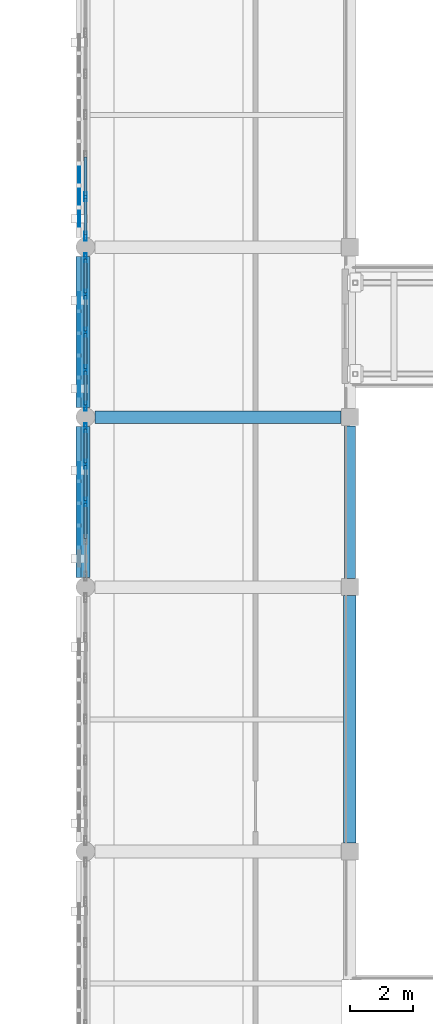
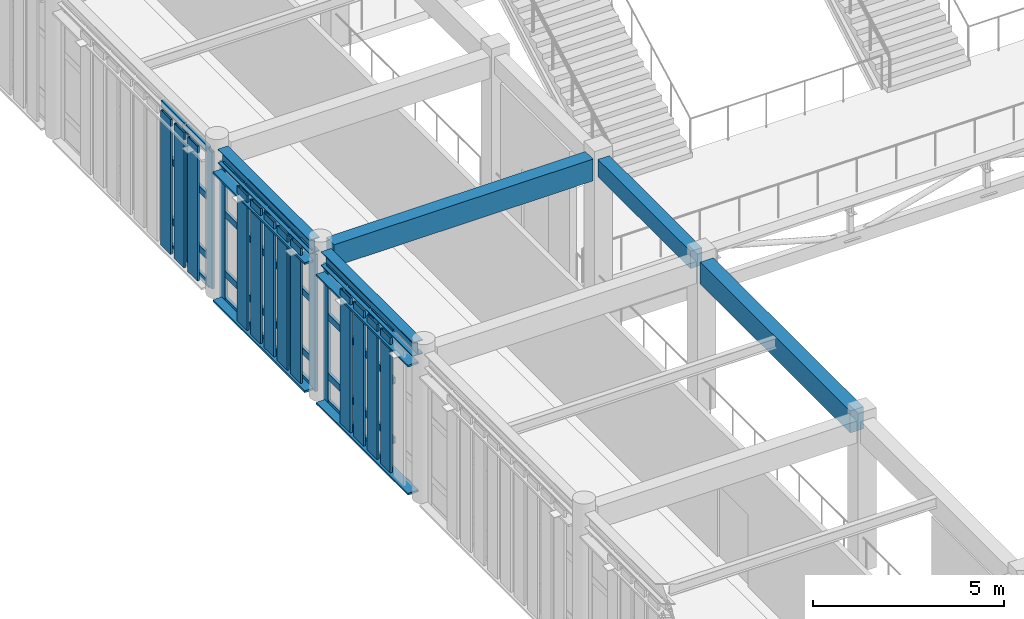
# One storey, part 31 of 93: 61 members, 5 beams, 3 elements without a shape of their own.
"""IFC4 building model written with IfcOpenShell, lengths in metres."""

from ifc_helpers import new_model, si_unit, direction, frame, origin, origin_2d, place, context, subcontext, project, spatial, rectangle, hollow_rectangle, i_section, extrude, material, layer, layer_set, material_profile, profile_set, type_object, element, aggregate, save


model = new_model("IFC4")

# Units and contexts
model_context = context("Model", 3, precision=1e-05, world=origin(), true_north=direction((0.0, 1.0)))
body_context = subcontext(model_context, "Body", "Model", "MODEL_VIEW")
ifc_project = project(units=[si_unit("LENGTHUNIT", "METRE"), si_unit("AREAUNIT", "SQUARE_METRE"), si_unit("VOLUMEUNIT", "CUBIC_METRE"), si_unit("PLANEANGLEUNIT", "RADIAN"), si_unit("MASSUNIT", "GRAM", prefix="KILO")], contexts=[model_context])

# Site, building, storey
site_placement = place(None, origin())
site = spatial("IfcSite", under=ifc_project, at=site_placement, CompositionType="ELEMENT")
building_placement = place(site_placement, origin())
building = spatial("IfcBuilding", under=site, at=building_placement, Name="Krzemoval Escarpment Law Courts", CompositionType="ELEMENT")
storey_placement = place(building_placement, frame((0.0, 0.0, 10.199951171875)))
storey = spatial("IfcBuildingStorey", under=building, at=storey_placement, Name="L02", CompositionType="ELEMENT", Elevation=10.199951171875)

# Beams
ifc_material_1 = material(Name="Concrete C40/50", Category="concrete")
ifc_material_profile_1 = material_profile(ifc_material_1, rectangle(XDim=0.35009765625, YDim=0.550048828125, at=origin_2d()), Name="RCB 350x550")
ifc_profile_set_1 = profile_set([ifc_material_profile_1], Name="Concrete C40/50")
beam_type_1 = type_object("IfcBeamType", Name="BM-RC-350x550", PredefinedType="BEAM", material=ifc_profile_set_1)
beam_1_placement = place(storey_placement, frame((16.800048828125, 74.675048828125, 4.545166015625), z_axis=(0.0, 1.0, 0.0), x_axis=(-1.0, 0.0, 0.0)))
element("IfcBeam", 1, at=beam_1_placement, inside=storey, type_object=beam_type_1, Name="Beam FG-L02-1876", PredefinedType="BEAM", context=body_context, shape_type="SweptSolid", body=[
    extrude(rectangle(XDim=0.35009765625, YDim=0.550048828125, at=origin_2d()), origin(), (0.0, 0.0, 1.0), 4.849853515625),
])
ifc_material_2 = material(Name="Concrete C40/50", Category="concrete")
ifc_material_profile_2 = material_profile(ifc_material_2, rectangle(XDim=0.39990234375, YDim=0.699951171875, at=origin_2d()), Name="RCB 400x700")
ifc_profile_set_2 = profile_set([ifc_material_profile_2], Name="Concrete C40/50")
beam_type_2 = type_object("IfcBeamType", Name="BM-RC-400x700", PredefinedType="BEAM", material=ifc_profile_set_2)
beam_2_placement = place(storey_placement, frame((8.699951171875, 79.800048828125, 4.469970703125), z_axis=(1.0, 0.0, 0.0), x_axis=(0.0, 1.0, 0.0)))
element("IfcBeam", 2, at=beam_2_placement, inside=storey, type_object=beam_type_2, Name="Beam FG-L02-1800", PredefinedType="BEAM", context=body_context, shape_type="SweptSolid", body=[
    extrude(rectangle(XDim=0.39990234375, YDim=0.699951171875, at=origin_2d()), origin(), (0.0, 0.0, 1.0), 7.824951171875),
])
beam_3_placement = place(storey_placement, frame((16.800048828125, 66.27490234375, 4.469970703125), z_axis=(0.0, 1.0, 0.0), x_axis=(-1.0, 0.0, 0.0)))
element("IfcBeam", 3, at=beam_3_placement, inside=storey, type_object=beam_type_2, Name="Beam FG-L02-1875", PredefinedType="BEAM", context=body_context, shape_type="SweptSolid", body=[
    extrude(rectangle(XDim=0.39990234375, YDim=0.699951171875, at=origin_2d()), origin(), (0.0, 0.0, 1.0), 7.85009765625),
])

# Curtain wall, members
ifc_material_3 = material(Name="Aluminium 6063-T6", Category="aluminium")
ifc_layer = layer(ifc_material_3, 0.280029296875)
ifc_layer_set = layer_set([ifc_layer], Name="Aluminium 6063-T6")
curtain_wall_type = type_object("IfcCurtainWallType", Name="CW-HALL-5100", PredefinedType="USERDEFINED", material=ifc_layer_set)
curtain_wall_1_placement = place(storey_placement, origin())
curtain_wall_1 = element("IfcCurtainWall", 4, at=curtain_wall_1_placement, inside=storey, type_object=curtain_wall_type, Name="Unitised Curtain Wall FCW-L02-069", ObjectType="UNITISED_CURTAIN_WALL", PredefinedType="USERDEFINED")
ifc_material_4 = material(Name="Aluminium 6063-T6", Category="aluminium")
ifc_material_profile_3 = material_profile(ifc_material_4, hollow_rectangle(XDim=0.0849609375, YDim=0.280029296875, WallThickness=0.005615234375, at=origin_2d()), Name="ALU M85x280")
ifc_profile_set_3 = profile_set([ifc_material_profile_3], Name="Aluminium 6063-T6")
member_type_1 = type_object("IfcMemberType", Name="CWM-85x280", PredefinedType="MULLION", material=ifc_profile_set_3)
member_1_placement = place(storey_placement, frame((8.39990234375, 77.10009765625, 0.0), z_axis=(0.0, 0.0, 1.0), x_axis=(-1.0, 0.0, 0.0)))
member_1 = element("IfcMember", 5, at=member_1_placement, type_object=member_type_1, Name="FCW-L02-069 mullion 3", PredefinedType="MULLION", context=body_context, shape_type="SweptSolid", body=[
    extrude(hollow_rectangle(XDim=0.0849609375, YDim=0.280029296875, WallThickness=0.005615234375, at=origin_2d()), origin(), (0.0, 0.0, 1.0), 4.3701171875),
])
member_2_placement = place(storey_placement, frame((8.39990234375, 78.300048828125, 0.0), z_axis=(0.0, 0.0, 1.0), x_axis=(-1.0, 0.0, 0.0)))
member_2 = element("IfcMember", 6, at=member_2_placement, type_object=member_type_1, Name="FCW-L02-069 mullion 4", PredefinedType="MULLION", context=body_context, shape_type="SweptSolid", body=[
    extrude(hollow_rectangle(XDim=0.0849609375, YDim=0.280029296875, WallThickness=0.005615234375, at=origin_2d()), origin(), (0.0, 0.0, 1.0), 4.3701171875),
])
member_3_placement = place(storey_placement, frame((8.39990234375, 79.45751953125, 0.0), z_axis=(0.0, 0.0, 1.0), x_axis=(-1.0, 0.0, 0.0)))
member_3 = element("IfcMember", 7, at=member_3_placement, type_object=member_type_1, Name="FCW-L02-069 mullion 5", PredefinedType="MULLION", context=body_context, shape_type="SweptSolid", body=[
    extrude(hollow_rectangle(XDim=0.0849609375, YDim=0.280029296875, WallThickness=0.005615234375, at=origin_2d()), origin(), (0.0, 0.0, 1.0), 4.3701171875),
])

curtain_wall_2_placement = place(storey_placement, origin())
curtain_wall_2 = element("IfcCurtainWall", 8, at=curtain_wall_2_placement, inside=storey, type_object=curtain_wall_type, Name="Unitised Curtain Wall FCW-L02-070", ObjectType="UNITISED_CURTAIN_WALL", PredefinedType="USERDEFINED")
member_4_placement = place(storey_placement, frame((8.39990234375, 80.142578125, 0.0), z_axis=(0.0, 0.0, 1.0), x_axis=(-1.0, 0.0, 0.0)))
member_4 = element("IfcMember", 9, at=member_4_placement, type_object=member_type_1, Name="FCW-L02-070 mullion 1", PredefinedType="MULLION", context=body_context, shape_type="SweptSolid", body=[
    extrude(hollow_rectangle(XDim=0.0849609375, YDim=0.280029296875, WallThickness=0.005615234375, at=origin_2d()), origin(), (0.0, 0.0, 1.0), 4.3701171875),
])
member_5_placement = place(storey_placement, frame((8.39990234375, 81.300048828125, 0.0), z_axis=(0.0, 0.0, 1.0), x_axis=(-1.0, 0.0, 0.0)))
member_5 = element("IfcMember", 10, at=member_5_placement, type_object=member_type_1, Name="FCW-L02-070 mullion 2", PredefinedType="MULLION", context=body_context, shape_type="SweptSolid", body=[
    extrude(hollow_rectangle(XDim=0.0849609375, YDim=0.280029296875, WallThickness=0.005615234375, at=origin_2d()), origin(), (0.0, 0.0, 1.0), 4.3701171875),
])
member_6_placement = place(storey_placement, frame((8.39990234375, 82.5, 0.0), z_axis=(0.0, 0.0, 1.0), x_axis=(-1.0, 0.0, 0.0)))
member_6 = element("IfcMember", 11, at=member_6_placement, type_object=member_type_1, Name="FCW-L02-070 mullion 3", PredefinedType="MULLION", context=body_context, shape_type="SweptSolid", body=[
    extrude(hollow_rectangle(XDim=0.0849609375, YDim=0.280029296875, WallThickness=0.005615234375, at=origin_2d()), origin(), (0.0, 0.0, 1.0), 4.3701171875),
])
member_7_placement = place(storey_placement, frame((8.39990234375, 83.699951171875, 0.0), z_axis=(0.0, 0.0, 1.0), x_axis=(-1.0, 0.0, 0.0)))
member_7 = element("IfcMember", 12, at=member_7_placement, type_object=member_type_1, Name="FCW-L02-070 mullion 4", PredefinedType="MULLION", context=body_context, shape_type="SweptSolid", body=[
    extrude(hollow_rectangle(XDim=0.0849609375, YDim=0.280029296875, WallThickness=0.005615234375, at=origin_2d()), origin(), (0.0, 0.0, 1.0), 4.3701171875),
])
member_8_placement = place(storey_placement, frame((8.39990234375, 84.857421875, 0.0), z_axis=(0.0, 0.0, 1.0), x_axis=(-1.0, 0.0, 0.0)))
member_8 = element("IfcMember", 13, at=member_8_placement, type_object=member_type_1, Name="FCW-L02-070 mullion 5", PredefinedType="MULLION", context=body_context, shape_type="SweptSolid", body=[
    extrude(hollow_rectangle(XDim=0.0849609375, YDim=0.280029296875, WallThickness=0.005615234375, at=origin_2d()), origin(), (0.0, 0.0, 1.0), 4.3701171875),
])

curtain_wall_3_placement = place(storey_placement, origin())
curtain_wall_3 = element("IfcCurtainWall", 14, at=curtain_wall_3_placement, inside=storey, type_object=curtain_wall_type, Name="Unitised Curtain Wall FCW-L02-071", ObjectType="UNITISED_CURTAIN_WALL", PredefinedType="USERDEFINED")
member_9_placement = place(storey_placement, frame((8.39990234375, 85.54248046875, 0.0), z_axis=(0.0, 0.0, 1.0), x_axis=(-1.0, 0.0, 0.0)))
member_9 = element("IfcMember", 15, at=member_9_placement, type_object=member_type_1, Name="FCW-L02-071 mullion 1", PredefinedType="MULLION", context=body_context, shape_type="SweptSolid", body=[
    extrude(hollow_rectangle(XDim=0.0849609375, YDim=0.280029296875, WallThickness=0.005615234375, at=origin_2d()), origin(), (0.0, 0.0, 1.0), 4.3701171875),
])
member_10_placement = place(storey_placement, frame((8.39990234375, 86.800048828125, 0.0), z_axis=(0.0, 0.0, 1.0), x_axis=(-1.0, 0.0, 0.0)))
member_10 = element("IfcMember", 16, at=member_10_placement, type_object=member_type_1, Name="FCW-L02-071 mullion 2", PredefinedType="MULLION", context=body_context, shape_type="SweptSolid", body=[
    extrude(hollow_rectangle(XDim=0.0849609375, YDim=0.280029296875, WallThickness=0.005615234375, at=origin_2d()), origin(), (0.0, 0.0, 1.0), 4.3701171875),
])

# Member
ifc_material_5 = material(Name="Aluminium 6063-T6", Category="aluminium")
ifc_material_profile_4 = material_profile(ifc_material_5, hollow_rectangle(XDim=0.0849609375, YDim=0.2099609375, WallThickness=0.005615234375, at=origin_2d()), Name="ALU T85x210")
ifc_profile_set_4 = profile_set([ifc_material_profile_4], Name="Aluminium 6063-T6")
member_type_2 = type_object("IfcMemberType", Name="CWT-85x210", PredefinedType="USERDEFINED", material=ifc_profile_set_4)
member_11_placement = place(storey_placement, frame((8.39990234375, 75.9423828125, 0.900146484375), z_axis=(0.0, 1.0, 0.0), x_axis=(-1.0, 0.0, 0.0)))
member_11 = element("IfcMember", 17, at=member_11_placement, type_object=member_type_2, Name="FCW-L02-069 transom 2.2", ObjectType="TRANSOM", PredefinedType="USERDEFINED", context=body_context, shape_type="SweptSolid", body=[
    extrude(hollow_rectangle(XDim=0.0849609375, YDim=0.2099609375, WallThickness=0.005615234375, at=origin_2d()), origin(), (0.0, 0.0, 1.0), 1.115234375),
])

member_12_placement = place(storey_placement, frame((8.39990234375, 75.9423828125, 2.800048828125), z_axis=(0.0, 1.0, 0.0), x_axis=(-1.0, 0.0, 0.0)))
member_12 = element("IfcMember", 18, at=member_12_placement, type_object=member_type_2, Name="FCW-L02-069 transom 2.3", ObjectType="TRANSOM", PredefinedType="USERDEFINED", context=body_context, shape_type="SweptSolid", body=[
    extrude(hollow_rectangle(XDim=0.0849609375, YDim=0.2099609375, WallThickness=0.005615234375, at=origin_2d()), origin(), (0.0, 0.0, 1.0), 1.115234375),
])

member_13_placement = place(storey_placement, frame((8.39990234375, 75.9423828125, 4.32763671875), z_axis=(0.0, 1.0, 0.0), x_axis=(-1.0, 0.0, 0.0)))
member_13 = element("IfcMember", 19, at=member_13_placement, type_object=member_type_2, Name="FCW-L02-069 transom 2.4", ObjectType="TRANSOM", PredefinedType="USERDEFINED", context=body_context, shape_type="SweptSolid", body=[
    extrude(hollow_rectangle(XDim=0.0849609375, YDim=0.2099609375, WallThickness=0.005615234375, at=origin_2d()), origin(), (0.0, 0.0, 1.0), 1.115234375),
])

member_14_placement = place(storey_placement, frame((8.39990234375, 77.142578125, 0.04248046875), z_axis=(0.0, 1.0, 0.0), x_axis=(-1.0, 0.0, 0.0)))
member_14 = element("IfcMember", 20, at=member_14_placement, type_object=member_type_2, Name="FCW-L02-069 transom 3.1", ObjectType="TRANSOM", PredefinedType="USERDEFINED", context=body_context, shape_type="SweptSolid", body=[
    extrude(hollow_rectangle(XDim=0.0849609375, YDim=0.2099609375, WallThickness=0.005615234375, at=origin_2d()), origin(), (0.0, 0.0, 1.0), 1.114990234375),
])

member_15_placement = place(storey_placement, frame((8.39990234375, 77.142578125, 0.900146484375), z_axis=(0.0, 1.0, 0.0), x_axis=(-1.0, 0.0, 0.0)))
member_15 = element("IfcMember", 21, at=member_15_placement, type_object=member_type_2, Name="FCW-L02-069 transom 3.2", ObjectType="TRANSOM", PredefinedType="USERDEFINED", context=body_context, shape_type="SweptSolid", body=[
    extrude(hollow_rectangle(XDim=0.0849609375, YDim=0.2099609375, WallThickness=0.005615234375, at=origin_2d()), origin(), (0.0, 0.0, 1.0), 1.114990234375),
])

member_16_placement = place(storey_placement, frame((8.39990234375, 77.142578125, 2.800048828125), z_axis=(0.0, 1.0, 0.0), x_axis=(-1.0, 0.0, 0.0)))
member_16 = element("IfcMember", 22, at=member_16_placement, type_object=member_type_2, Name="FCW-L02-069 transom 3.3", ObjectType="TRANSOM", PredefinedType="USERDEFINED", context=body_context, shape_type="SweptSolid", body=[
    extrude(hollow_rectangle(XDim=0.0849609375, YDim=0.2099609375, WallThickness=0.005615234375, at=origin_2d()), origin(), (0.0, 0.0, 1.0), 1.114990234375),
])

member_17_placement = place(storey_placement, frame((8.39990234375, 77.142578125, 4.32763671875), z_axis=(0.0, 1.0, 0.0), x_axis=(-1.0, 0.0, 0.0)))
member_17 = element("IfcMember", 23, at=member_17_placement, type_object=member_type_2, Name="FCW-L02-069 transom 3.4", ObjectType="TRANSOM", PredefinedType="USERDEFINED", context=body_context, shape_type="SweptSolid", body=[
    extrude(hollow_rectangle(XDim=0.0849609375, YDim=0.2099609375, WallThickness=0.005615234375, at=origin_2d()), origin(), (0.0, 0.0, 1.0), 1.114990234375),
])

member_18_placement = place(storey_placement, frame((8.39990234375, 78.342529296875, 0.04248046875), z_axis=(0.0, 1.0, 0.0), x_axis=(-1.0, 0.0, 0.0)))
member_18 = element("IfcMember", 24, at=member_18_placement, type_object=member_type_2, Name="FCW-L02-069 transom 4.1", ObjectType="TRANSOM", PredefinedType="USERDEFINED", context=body_context, shape_type="SweptSolid", body=[
    extrude(hollow_rectangle(XDim=0.0849609375, YDim=0.2099609375, WallThickness=0.005615234375, at=origin_2d()), origin(), (0.0, 0.0, 1.0), 1.072509765625),
])

member_19_placement = place(storey_placement, frame((8.39990234375, 78.342529296875, 0.900146484375), z_axis=(0.0, 1.0, 0.0), x_axis=(-1.0, 0.0, 0.0)))
member_19 = element("IfcMember", 25, at=member_19_placement, type_object=member_type_2, Name="FCW-L02-069 transom 4.2", ObjectType="TRANSOM", PredefinedType="USERDEFINED", context=body_context, shape_type="SweptSolid", body=[
    extrude(hollow_rectangle(XDim=0.0849609375, YDim=0.2099609375, WallThickness=0.005615234375, at=origin_2d()), origin(), (0.0, 0.0, 1.0), 1.072509765625),
])

member_20_placement = place(storey_placement, frame((8.39990234375, 78.342529296875, 2.800048828125), z_axis=(0.0, 1.0, 0.0), x_axis=(-1.0, 0.0, 0.0)))
member_20 = element("IfcMember", 26, at=member_20_placement, type_object=member_type_2, Name="FCW-L02-069 transom 4.3", ObjectType="TRANSOM", PredefinedType="USERDEFINED", context=body_context, shape_type="SweptSolid", body=[
    extrude(hollow_rectangle(XDim=0.0849609375, YDim=0.2099609375, WallThickness=0.005615234375, at=origin_2d()), origin(), (0.0, 0.0, 1.0), 1.072509765625),
])

member_21_placement = place(storey_placement, frame((8.39990234375, 78.342529296875, 4.32763671875), z_axis=(0.0, 1.0, 0.0), x_axis=(-1.0, 0.0, 0.0)))
member_21 = element("IfcMember", 27, at=member_21_placement, type_object=member_type_2, Name="FCW-L02-069 transom 4.4", ObjectType="TRANSOM", PredefinedType="USERDEFINED", context=body_context, shape_type="SweptSolid", body=[
    extrude(hollow_rectangle(XDim=0.0849609375, YDim=0.2099609375, WallThickness=0.005615234375, at=origin_2d()), origin(), (0.0, 0.0, 1.0), 1.072509765625),
])

aggregate(curtain_wall_1, [member_1, member_2, member_3, member_11, member_12, member_13, member_14, member_15, member_16, member_17, member_18, member_19, member_20, member_21])

member_22_placement = place(storey_placement, frame((8.39990234375, 80.18505859375, 0.04248046875), z_axis=(0.0, 1.0, 0.0), x_axis=(-1.0, 0.0, 0.0)))
member_22 = element("IfcMember", 28, at=member_22_placement, type_object=member_type_2, Name="FCW-L02-070 transom 1.1", ObjectType="TRANSOM", PredefinedType="USERDEFINED", context=body_context, shape_type="SweptSolid", body=[
    extrude(hollow_rectangle(XDim=0.0849609375, YDim=0.2099609375, WallThickness=0.005615234375, at=origin_2d()), origin(), (0.0, 0.0, 1.0), 1.072509765625),
])

member_23_placement = place(storey_placement, frame((8.39990234375, 80.18505859375, 0.900146484375), z_axis=(0.0, 1.0, 0.0), x_axis=(-1.0, 0.0, 0.0)))
member_23 = element("IfcMember", 29, at=member_23_placement, type_object=member_type_2, Name="FCW-L02-070 transom 1.2", ObjectType="TRANSOM", PredefinedType="USERDEFINED", context=body_context, shape_type="SweptSolid", body=[
    extrude(hollow_rectangle(XDim=0.0849609375, YDim=0.2099609375, WallThickness=0.005615234375, at=origin_2d()), origin(), (0.0, 0.0, 1.0), 1.072509765625),
])

member_24_placement = place(storey_placement, frame((8.39990234375, 80.18505859375, 2.800048828125), z_axis=(0.0, 1.0, 0.0), x_axis=(-1.0, 0.0, 0.0)))
member_24 = element("IfcMember", 30, at=member_24_placement, type_object=member_type_2, Name="FCW-L02-070 transom 1.3", ObjectType="TRANSOM", PredefinedType="USERDEFINED", context=body_context, shape_type="SweptSolid", body=[
    extrude(hollow_rectangle(XDim=0.0849609375, YDim=0.2099609375, WallThickness=0.005615234375, at=origin_2d()), origin(), (0.0, 0.0, 1.0), 1.072509765625),
])

member_25_placement = place(storey_placement, frame((8.39990234375, 80.18505859375, 4.32763671875), z_axis=(0.0, 1.0, 0.0), x_axis=(-1.0, 0.0, 0.0)))
member_25 = element("IfcMember", 31, at=member_25_placement, type_object=member_type_2, Name="FCW-L02-070 transom 1.4", ObjectType="TRANSOM", PredefinedType="USERDEFINED", context=body_context, shape_type="SweptSolid", body=[
    extrude(hollow_rectangle(XDim=0.0849609375, YDim=0.2099609375, WallThickness=0.005615234375, at=origin_2d()), origin(), (0.0, 0.0, 1.0), 1.072509765625),
])

member_26_placement = place(storey_placement, frame((8.39990234375, 81.342529296875, 0.04248046875), z_axis=(0.0, 1.0, 0.0), x_axis=(-1.0, 0.0, 0.0)))
member_26 = element("IfcMember", 32, at=member_26_placement, type_object=member_type_2, Name="FCW-L02-070 transom 2.1", ObjectType="TRANSOM", PredefinedType="USERDEFINED", context=body_context, shape_type="SweptSolid", body=[
    extrude(hollow_rectangle(XDim=0.0849609375, YDim=0.2099609375, WallThickness=0.005615234375, at=origin_2d()), origin(), (0.0, 0.0, 1.0), 1.114990234375),
])

member_27_placement = place(storey_placement, frame((8.39990234375, 81.342529296875, 0.900146484375), z_axis=(0.0, 1.0, 0.0), x_axis=(-1.0, 0.0, 0.0)))
member_27 = element("IfcMember", 33, at=member_27_placement, type_object=member_type_2, Name="FCW-L02-070 transom 2.2", ObjectType="TRANSOM", PredefinedType="USERDEFINED", context=body_context, shape_type="SweptSolid", body=[
    extrude(hollow_rectangle(XDim=0.0849609375, YDim=0.2099609375, WallThickness=0.005615234375, at=origin_2d()), origin(), (0.0, 0.0, 1.0), 1.114990234375),
])

member_28_placement = place(storey_placement, frame((8.39990234375, 81.342529296875, 2.800048828125), z_axis=(0.0, 1.0, 0.0), x_axis=(-1.0, 0.0, 0.0)))
member_28 = element("IfcMember", 34, at=member_28_placement, type_object=member_type_2, Name="FCW-L02-070 transom 2.3", ObjectType="TRANSOM", PredefinedType="USERDEFINED", context=body_context, shape_type="SweptSolid", body=[
    extrude(hollow_rectangle(XDim=0.0849609375, YDim=0.2099609375, WallThickness=0.005615234375, at=origin_2d()), origin(), (0.0, 0.0, 1.0), 1.114990234375),
])

member_29_placement = place(storey_placement, frame((8.39990234375, 81.342529296875, 4.32763671875), z_axis=(0.0, 1.0, 0.0), x_axis=(-1.0, 0.0, 0.0)))
member_29 = element("IfcMember", 35, at=member_29_placement, type_object=member_type_2, Name="FCW-L02-070 transom 2.4", ObjectType="TRANSOM", PredefinedType="USERDEFINED", context=body_context, shape_type="SweptSolid", body=[
    extrude(hollow_rectangle(XDim=0.0849609375, YDim=0.2099609375, WallThickness=0.005615234375, at=origin_2d()), origin(), (0.0, 0.0, 1.0), 1.114990234375),
])

member_30_placement = place(storey_placement, frame((8.39990234375, 82.54248046875, 0.04248046875), z_axis=(0.0, 1.0, 0.0), x_axis=(-1.0, 0.0, 0.0)))
member_30 = element("IfcMember", 36, at=member_30_placement, type_object=member_type_2, Name="FCW-L02-070 transom 3.1", ObjectType="TRANSOM", PredefinedType="USERDEFINED", context=body_context, shape_type="SweptSolid", body=[
    extrude(hollow_rectangle(XDim=0.0849609375, YDim=0.2099609375, WallThickness=0.005615234375, at=origin_2d()), origin(), (0.0, 0.0, 1.0), 1.114990234375),
])

member_31_placement = place(storey_placement, frame((8.39990234375, 82.54248046875, 0.900146484375), z_axis=(0.0, 1.0, 0.0), x_axis=(-1.0, 0.0, 0.0)))
member_31 = element("IfcMember", 37, at=member_31_placement, type_object=member_type_2, Name="FCW-L02-070 transom 3.2", ObjectType="TRANSOM", PredefinedType="USERDEFINED", context=body_context, shape_type="SweptSolid", body=[
    extrude(hollow_rectangle(XDim=0.0849609375, YDim=0.2099609375, WallThickness=0.005615234375, at=origin_2d()), origin(), (0.0, 0.0, 1.0), 1.114990234375),
])

member_32_placement = place(storey_placement, frame((8.39990234375, 82.54248046875, 2.800048828125), z_axis=(0.0, 1.0, 0.0), x_axis=(-1.0, 0.0, 0.0)))
member_32 = element("IfcMember", 38, at=member_32_placement, type_object=member_type_2, Name="FCW-L02-070 transom 3.3", ObjectType="TRANSOM", PredefinedType="USERDEFINED", context=body_context, shape_type="SweptSolid", body=[
    extrude(hollow_rectangle(XDim=0.0849609375, YDim=0.2099609375, WallThickness=0.005615234375, at=origin_2d()), origin(), (0.0, 0.0, 1.0), 1.114990234375),
])

member_33_placement = place(storey_placement, frame((8.39990234375, 82.54248046875, 4.32763671875), z_axis=(0.0, 1.0, 0.0), x_axis=(-1.0, 0.0, 0.0)))
member_33 = element("IfcMember", 39, at=member_33_placement, type_object=member_type_2, Name="FCW-L02-070 transom 3.4", ObjectType="TRANSOM", PredefinedType="USERDEFINED", context=body_context, shape_type="SweptSolid", body=[
    extrude(hollow_rectangle(XDim=0.0849609375, YDim=0.2099609375, WallThickness=0.005615234375, at=origin_2d()), origin(), (0.0, 0.0, 1.0), 1.114990234375),
])

member_34_placement = place(storey_placement, frame((8.39990234375, 83.742431640625, 0.04248046875), z_axis=(0.0, 1.0, 0.0), x_axis=(-1.0, 0.0, 0.0)))
member_34 = element("IfcMember", 40, at=member_34_placement, type_object=member_type_2, Name="FCW-L02-070 transom 4.1", ObjectType="TRANSOM", PredefinedType="USERDEFINED", context=body_context, shape_type="SweptSolid", body=[
    extrude(hollow_rectangle(XDim=0.0849609375, YDim=0.2099609375, WallThickness=0.005615234375, at=origin_2d()), origin(), (0.0, 0.0, 1.0), 1.072509765625),
])

member_35_placement = place(storey_placement, frame((8.39990234375, 83.742431640625, 0.900146484375), z_axis=(0.0, 1.0, 0.0), x_axis=(-1.0, 0.0, 0.0)))
member_35 = element("IfcMember", 41, at=member_35_placement, type_object=member_type_2, Name="FCW-L02-070 transom 4.2", ObjectType="TRANSOM", PredefinedType="USERDEFINED", context=body_context, shape_type="SweptSolid", body=[
    extrude(hollow_rectangle(XDim=0.0849609375, YDim=0.2099609375, WallThickness=0.005615234375, at=origin_2d()), origin(), (0.0, 0.0, 1.0), 1.072509765625),
])

member_36_placement = place(storey_placement, frame((8.39990234375, 83.742431640625, 2.800048828125), z_axis=(0.0, 1.0, 0.0), x_axis=(-1.0, 0.0, 0.0)))
member_36 = element("IfcMember", 42, at=member_36_placement, type_object=member_type_2, Name="FCW-L02-070 transom 4.3", ObjectType="TRANSOM", PredefinedType="USERDEFINED", context=body_context, shape_type="SweptSolid", body=[
    extrude(hollow_rectangle(XDim=0.0849609375, YDim=0.2099609375, WallThickness=0.005615234375, at=origin_2d()), origin(), (0.0, 0.0, 1.0), 1.072509765625),
])

member_37_placement = place(storey_placement, frame((8.39990234375, 83.742431640625, 4.32763671875), z_axis=(0.0, 1.0, 0.0), x_axis=(-1.0, 0.0, 0.0)))
member_37 = element("IfcMember", 43, at=member_37_placement, type_object=member_type_2, Name="FCW-L02-070 transom 4.4", ObjectType="TRANSOM", PredefinedType="USERDEFINED", context=body_context, shape_type="SweptSolid", body=[
    extrude(hollow_rectangle(XDim=0.0849609375, YDim=0.2099609375, WallThickness=0.005615234375, at=origin_2d()), origin(), (0.0, 0.0, 1.0), 1.072509765625),
])

aggregate(curtain_wall_2, [member_4, member_5, member_6, member_7, member_8, member_22, member_23, member_24, member_25, member_26, member_27, member_28, member_29, member_30, member_31, member_32, member_33, member_34, member_35, member_36, member_37])

member_38_placement = place(storey_placement, frame((8.39990234375, 85.5849609375, 0.04248046875), z_axis=(0.0, 1.0, 0.0), x_axis=(-1.0, 0.0, 0.0)))
member_38 = element("IfcMember", 44, at=member_38_placement, type_object=member_type_2, Name="FCW-L02-071 transom 1.1", ObjectType="TRANSOM", PredefinedType="USERDEFINED", context=body_context, shape_type="SweptSolid", body=[
    extrude(hollow_rectangle(XDim=0.0849609375, YDim=0.2099609375, WallThickness=0.005615234375, at=origin_2d()), origin(), (0.0, 0.0, 1.0), 1.172607421875),
])

member_39_placement = place(storey_placement, frame((8.39990234375, 85.5849609375, 0.900146484375), z_axis=(0.0, 1.0, 0.0), x_axis=(-1.0, 0.0, 0.0)))
member_39 = element("IfcMember", 45, at=member_39_placement, type_object=member_type_2, Name="FCW-L02-071 transom 1.2", ObjectType="TRANSOM", PredefinedType="USERDEFINED", context=body_context, shape_type="SweptSolid", body=[
    extrude(hollow_rectangle(XDim=0.0849609375, YDim=0.2099609375, WallThickness=0.005615234375, at=origin_2d()), origin(), (0.0, 0.0, 1.0), 1.172607421875),
])

member_40_placement = place(storey_placement, frame((8.39990234375, 85.5849609375, 2.800048828125), z_axis=(0.0, 1.0, 0.0), x_axis=(-1.0, 0.0, 0.0)))
member_40 = element("IfcMember", 46, at=member_40_placement, type_object=member_type_2, Name="FCW-L02-071 transom 1.3", ObjectType="TRANSOM", PredefinedType="USERDEFINED", context=body_context, shape_type="SweptSolid", body=[
    extrude(hollow_rectangle(XDim=0.0849609375, YDim=0.2099609375, WallThickness=0.005615234375, at=origin_2d()), origin(), (0.0, 0.0, 1.0), 1.172607421875),
])

member_41_placement = place(storey_placement, frame((8.39990234375, 85.5849609375, 4.32763671875), z_axis=(0.0, 1.0, 0.0), x_axis=(-1.0, 0.0, 0.0)))
member_41 = element("IfcMember", 47, at=member_41_placement, type_object=member_type_2, Name="FCW-L02-071 transom 1.4", ObjectType="TRANSOM", PredefinedType="USERDEFINED", context=body_context, shape_type="SweptSolid", body=[
    extrude(hollow_rectangle(XDim=0.0849609375, YDim=0.2099609375, WallThickness=0.005615234375, at=origin_2d()), origin(), (0.0, 0.0, 1.0), 1.172607421875),
])

member_42_placement = place(storey_placement, frame((8.39990234375, 86.842529296875, 0.04248046875), z_axis=(0.0, 1.0, 0.0), x_axis=(-1.0, 0.0, 0.0)))
member_42 = element("IfcMember", 48, at=member_42_placement, type_object=member_type_2, Name="FCW-L02-071 transom 2.1", ObjectType="TRANSOM", PredefinedType="USERDEFINED", context=body_context, shape_type="SweptSolid", body=[
    extrude(hollow_rectangle(XDim=0.0849609375, YDim=0.2099609375, WallThickness=0.005615234375, at=origin_2d()), origin(), (0.0, 0.0, 1.0), 1.215087890625),
])

member_43_placement = place(storey_placement, frame((8.39990234375, 86.842529296875, 0.900146484375), z_axis=(0.0, 1.0, 0.0), x_axis=(-1.0, 0.0, 0.0)))
member_43 = element("IfcMember", 49, at=member_43_placement, type_object=member_type_2, Name="FCW-L02-071 transom 2.2", ObjectType="TRANSOM", PredefinedType="USERDEFINED", context=body_context, shape_type="SweptSolid", body=[
    extrude(hollow_rectangle(XDim=0.0849609375, YDim=0.2099609375, WallThickness=0.005615234375, at=origin_2d()), origin(), (0.0, 0.0, 1.0), 1.215087890625),
])

member_44_placement = place(storey_placement, frame((8.39990234375, 86.842529296875, 2.800048828125), z_axis=(0.0, 1.0, 0.0), x_axis=(-1.0, 0.0, 0.0)))
member_44 = element("IfcMember", 50, at=member_44_placement, type_object=member_type_2, Name="FCW-L02-071 transom 2.3", ObjectType="TRANSOM", PredefinedType="USERDEFINED", context=body_context, shape_type="SweptSolid", body=[
    extrude(hollow_rectangle(XDim=0.0849609375, YDim=0.2099609375, WallThickness=0.005615234375, at=origin_2d()), origin(), (0.0, 0.0, 1.0), 1.215087890625),
])

member_45_placement = place(storey_placement, frame((8.39990234375, 86.842529296875, 4.32763671875), z_axis=(0.0, 1.0, 0.0), x_axis=(-1.0, 0.0, 0.0)))
member_45 = element("IfcMember", 51, at=member_45_placement, type_object=member_type_2, Name="FCW-L02-071 transom 2.4", ObjectType="TRANSOM", PredefinedType="USERDEFINED", context=body_context, shape_type="SweptSolid", body=[
    extrude(hollow_rectangle(XDim=0.0849609375, YDim=0.2099609375, WallThickness=0.005615234375, at=origin_2d()), origin(), (0.0, 0.0, 1.0), 1.215087890625),
])

aggregate(curtain_wall_3, [member_9, member_10, member_38, member_39, member_40, member_41, member_42, member_43, member_44, member_45])

# Members
ifc_material_6 = material(Name="Anodised Aluminium Alloy 6063-T6", Category="aluminium")
ifc_material_profile_5 = material_profile(ifc_material_6, hollow_rectangle(XDim=0.06005859375, YDim=0.320068359375, WallThickness=0.00390625, at=origin_2d()), Name="ALU LVR 60x320")
ifc_profile_set_5 = profile_set([ifc_material_profile_5], Name="Anodised Aluminium Alloy 6063-T6")
member_type_3 = type_object("IfcMemberType", Name="LVR-ALU-320", PredefinedType="USERDEFINED", material=ifc_profile_set_5)
for number, where, z_axis, x_axis, name in (
    (52, (8.260009765625, 74.699951171875, 0.030029296875), (0.0, 1.0, 0.0), (0.0, 0.0, 1.0), "Sunshade Support Rail FSR-L02-0418"),
    (53, (8.260009765625, 74.699951171875, 4.1201171875), (0.0, 1.0, 0.0), (0.0, 0.0, 1.0), "Sunshade Support Rail FSR-L02-0419"),
):
    element("IfcMember", number, at=place(storey_placement, frame(where, z_axis=z_axis, x_axis=x_axis)), inside=storey, type_object=member_type_3, Name=name, ObjectType="SUNSHADE_LOUVRE", PredefinedType="USERDEFINED", context=body_context, shape_type="SweptSolid", body=[
        extrude(hollow_rectangle(XDim=0.06005859375, YDim=0.320068359375, WallThickness=0.00390625, at=origin_2d()), origin(), (0.0, 0.0, 1.0), 4.800048828125),
    ])
for number, where, z_axis, x_axis, name in (
    (54, (8.260009765625, 80.10009765625, 0.030029296875), (0.0, 1.0, 0.0), (0.0, 0.0, 1.0), "Sunshade Support Rail FSR-L02-0425"),
    (55, (8.260009765625, 80.10009765625, 4.1201171875), (0.0, 1.0, 0.0), (0.0, 0.0, 1.0), "Sunshade Support Rail FSR-L02-0426"),
):
    element("IfcMember", number, at=place(storey_placement, frame(where, z_axis=z_axis, x_axis=x_axis)), inside=storey, type_object=member_type_3, Name=name, ObjectType="SUNSHADE_LOUVRE", PredefinedType="USERDEFINED", context=body_context, shape_type="SweptSolid", body=[
        extrude(hollow_rectangle(XDim=0.06005859375, YDim=0.320068359375, WallThickness=0.00390625, at=origin_2d()), origin(), (0.0, 0.0, 1.0), 4.7998046875),
    ])
ifc_material_7 = material(Name="Anodised Aluminium Alloy 6063-T6", Category="aluminium")
ifc_material_profile_6 = material_profile(ifc_material_7, hollow_rectangle(XDim=0.06494140625, YDim=0.52001953125, WallThickness=0.00439453125, at=origin_2d()), Name="ALU LVR 65x520")
ifc_profile_set_6 = profile_set([ifc_material_profile_6], Name="Anodised Aluminium Alloy 6063-T6")
member_type_4 = type_object("IfcMemberType", Name="LVR-ALU-520", PredefinedType="USERDEFINED", material=ifc_profile_set_6)
for number, where, z_axis, x_axis, name in (
    (56, (8.199951171875, 76.0, 0.06005859375), (0.0, 0.0, 1.0), (1.0, 0.0, 0.0), "Sunshade Louvre Fin FLV-L02-0421"),
    (57, (8.199951171875, 76.699951171875, 0.06005859375), (0.0, 0.0, 1.0), (1.0, 0.0, 0.0), "Sunshade Louvre Fin FLV-L02-0422"),
    (58, (8.199951171875, 77.39990234375, 0.06005859375), (0.0, 0.0, 1.0), (1.0, 0.0, 0.0), "Sunshade Louvre Fin FLV-L02-0423"),
    (59, (8.199951171875, 78.10009765625, 0.06005859375), (0.0, 0.0, 1.0), (1.0, 0.0, 0.0), "Sunshade Louvre Fin FLV-L02-0424"),
    (60, (8.199951171875, 80.699951171875, 0.06005859375), (0.0, 0.0, 1.0), (1.0, 0.0, 0.0), "Sunshade Louvre Fin FLV-L02-0427"),
    (61, (8.199951171875, 81.39990234375, 0.06005859375), (0.0, 0.0, 1.0), (1.0, 0.0, 0.0), "Sunshade Louvre Fin FLV-L02-0428"),
    (62, (8.199951171875, 82.10009765625, 0.06005859375), (0.0, 0.0, 1.0), (1.0, 0.0, 0.0), "Sunshade Louvre Fin FLV-L02-0429"),
    (63, (8.199951171875, 82.800048828125, 0.06005859375), (0.0, 0.0, 1.0), (1.0, 0.0, 0.0), "Sunshade Louvre Fin FLV-L02-0430"),
    (64, (8.199951171875, 83.5, 0.06005859375), (0.0, 0.0, 1.0), (1.0, 0.0, 0.0), "Sunshade Louvre Fin FLV-L02-0431"),
    (65, (8.199951171875, 86.10009765625, 0.06005859375), (0.0, 0.0, 1.0), (1.0, 0.0, 0.0), "Sunshade Louvre Fin FLV-L02-0434"),
    (66, (8.199951171875, 86.800048828125, 0.06005859375), (0.0, 0.0, 1.0), (1.0, 0.0, 0.0), "Sunshade Louvre Fin FLV-L02-0435"),
    (67, (8.199951171875, 87.5, 0.06005859375), (0.0, 0.0, 1.0), (1.0, 0.0, 0.0), "Sunshade Louvre Fin FLV-L02-0436"),
):
    element("IfcMember", number, at=place(storey_placement, frame(where, z_axis=z_axis, x_axis=x_axis)), inside=storey, type_object=member_type_4, Name=name, ObjectType="SUNSHADE_LOUVRE", PredefinedType="USERDEFINED", context=body_context, shape_type="SweptSolid", body=[
        extrude(hollow_rectangle(XDim=0.06494140625, YDim=0.52001953125, WallThickness=0.00439453125, at=origin_2d()), origin(), (0.0, 0.0, 1.0), 4.31005859375),
    ])

# Beams
ifc_material_8 = material(Name="Steel S355", Category="steel")
ifc_material_profile_7 = material_profile(ifc_material_8, i_section(OverallWidth=0.300048828125, OverallDepth=0.449951171875, WebThickness=0.013916015625, FlangeThickness=0.02587890625, at=origin_2d()), Name="HEB 450")
ifc_profile_set_7 = profile_set([ifc_material_profile_7], Name="Steel S355")
beam_type_3 = type_object("IfcBeamType", Name="SPN-S355-HEB450", PredefinedType="SPANDREL", material=ifc_profile_set_7)
beam_4_placement = place(storey_placement, frame((8.39990234375, 74.699951171875, 4.594970703125), z_axis=(0.0, 1.0, 0.0), x_axis=(-1.0, 0.0, 0.0)))
element("IfcBeam", 68, at=beam_4_placement, inside=storey, type_object=beam_type_3, Name="Beam FG-L02-1865", PredefinedType="SPANDREL", context=body_context, shape_type="SweptSolid", body=[
    extrude(i_section(OverallWidth=0.300048828125, OverallDepth=0.449951171875, WebThickness=0.013916015625, FlangeThickness=0.02587890625, at=origin_2d()), origin(), (0.0, 0.0, 1.0), 4.800048828125),
])
beam_5_placement = place(storey_placement, frame((8.39990234375, 80.10009765625, 4.594970703125), z_axis=(0.0, 1.0, 0.0), x_axis=(-1.0, 0.0, 0.0)))
element("IfcBeam", 69, at=beam_5_placement, inside=storey, type_object=beam_type_3, Name="Beam FG-L02-1866", PredefinedType="SPANDREL", context=body_context, shape_type="SweptSolid", body=[
    extrude(i_section(OverallWidth=0.300048828125, OverallDepth=0.449951171875, WebThickness=0.013916015625, FlangeThickness=0.02587890625, at=origin_2d()), origin(), (0.0, 0.0, 1.0), 4.7998046875),
])

save(model, "model.ifc")
